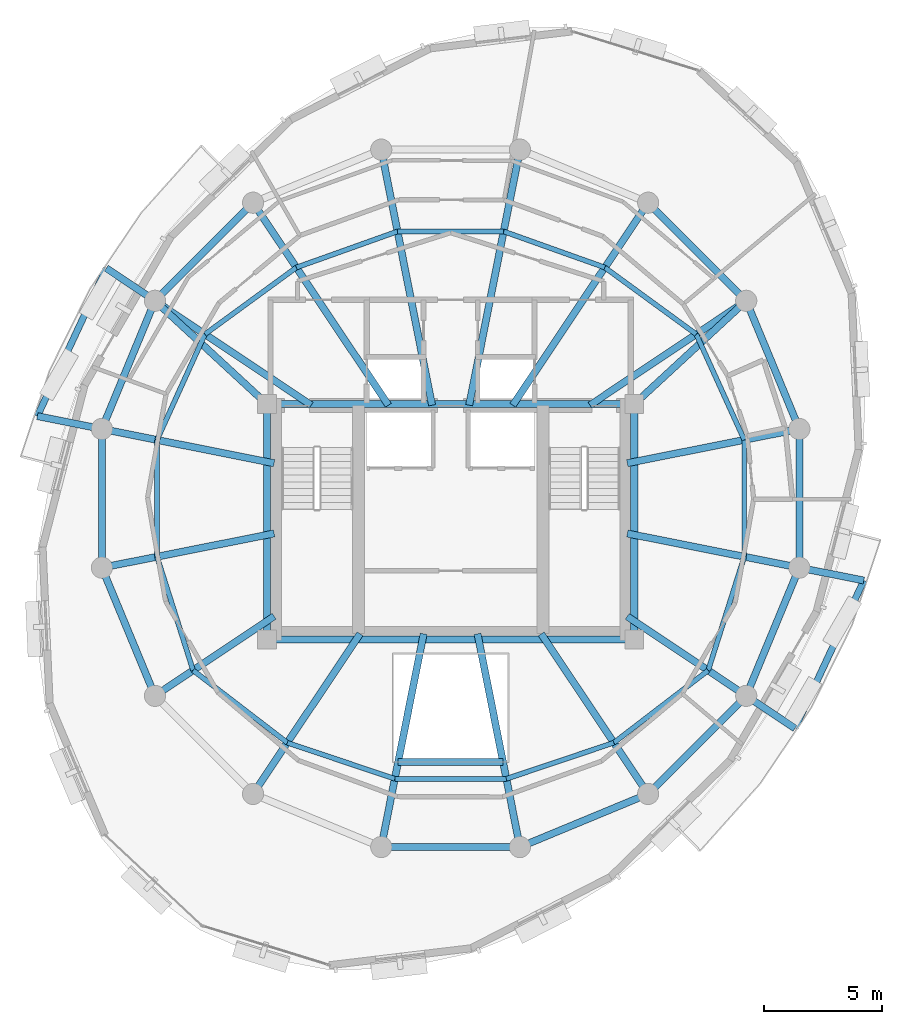
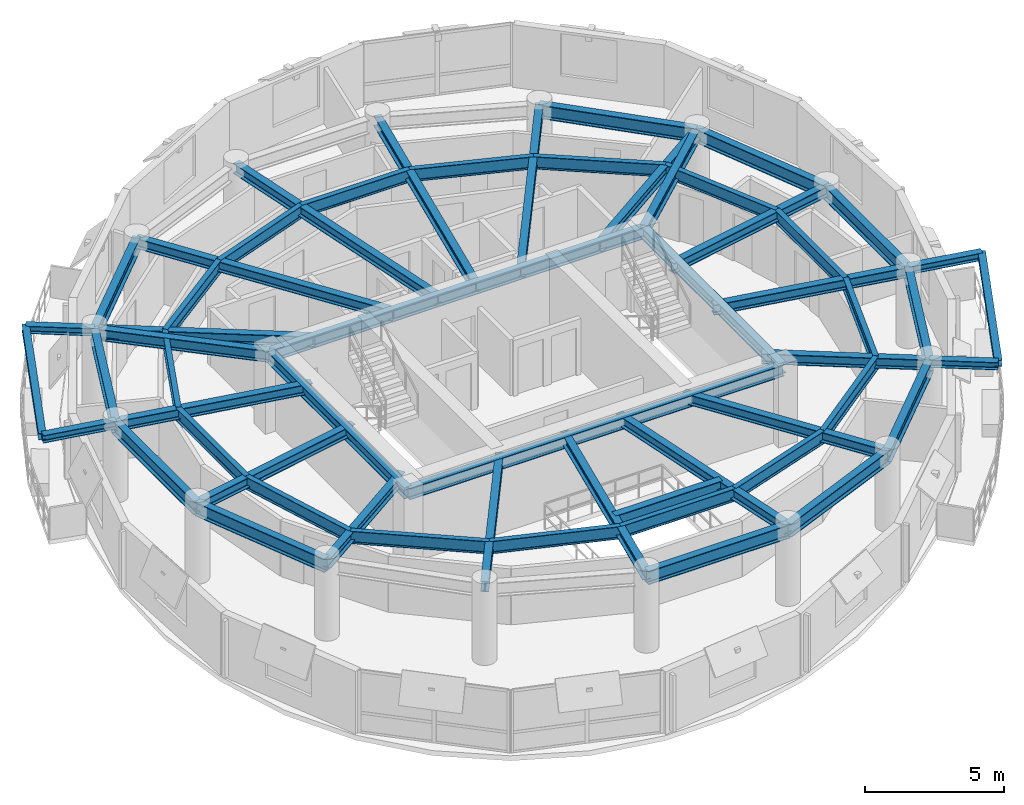
# One storey, part 3 of 11: 56 beams.
"""IFC4 building model written with IfcOpenShell, lengths in metres."""

from ifc_helpers import new_model, si_unit, direction, frame, origin, origin_2d, place, context, subcontext, project, spatial, i_section, extrude, material, material_profile, profile_set, type_object, element, save


model = new_model("IFC4")

# Units and contexts
model_context = context("Model", 3, precision=1e-05, world=origin(), true_north=direction((0.0, 1.0)))
body_context = subcontext(model_context, "Body", "Model", "MODEL_VIEW")
ifc_project = project(units=[si_unit("LENGTHUNIT", "METRE"), si_unit("AREAUNIT", "SQUARE_METRE"), si_unit("VOLUMEUNIT", "CUBIC_METRE"), si_unit("PLANEANGLEUNIT", "RADIAN"), si_unit("MASSUNIT", "GRAM", prefix="KILO"), si_unit("THERMODYNAMICTEMPERATUREUNIT", "KELVIN"), si_unit("POWERUNIT", "WATT")], contexts=[model_context])

# Site, building, storey
site_placement = place(None, origin())
site = spatial("IfcSite", under=ifc_project, at=site_placement, CompositionType="ELEMENT")
building_placement = place(site_placement, origin())
building = spatial("IfcBuilding", under=site, at=building_placement, Name="Ocrelia Relay Tower", CompositionType="ELEMENT")
storey_placement = place(building_placement, frame((0.0, 0.0, 277.199951171875)))
storey = spatial("IfcBuildingStorey", under=building, at=storey_placement, Name="L69", CompositionType="ELEMENT", Elevation=277.199951171875)

# Beams
ifc_material = material(Name="Steel S355", Category="steel")
ifc_material_profile_1 = material_profile(ifc_material, i_section(OverallWidth=0.280029296875, OverallDepth=0.27001953125, WebThickness=0.008056640625, FlangeThickness=0.012939453125, FilletRadius=0.02392578125, at=origin_2d()), Name="HEA 280")
ifc_profile_set_1 = profile_set([ifc_material_profile_1], Name="Steel S355")
beam_type_1 = type_object("IfcBeamType", Name="BM-HEA280", PredefinedType="BEAM", material=ifc_profile_set_1)
for number, where, z_axis, x_axis, name in (
    (1, (19.37890625, 35.76953125, 3.2451171875), (-0.422790936528, -0.906227247433, 0.0), (0.906227247433, -0.422790936528, 0.0), "L70 Balcony Edge Trimmer Beam B1"),
    (2, (48.62109375, 16.23046875, 3.2451171875), (0.422790936528, 0.906227247433, 0.0), (-0.906227247433, 0.422790936528, 0.0), "L70 Balcony Edge Trimmer Beam B2"),
):
    element("IfcBeam", number, at=place(storey_placement, frame(where, z_axis=z_axis, x_axis=x_axis)), inside=storey, type_object=beam_type_1, Name=name, PredefinedType="BEAM", context=body_context, shape_type="SweptSolid", body=[
        extrude(i_section(OverallWidth=0.280029296875, OverallDepth=0.27001953125, WebThickness=0.008056640625, FlangeThickness=0.012939453125, FilletRadius=0.02392578125, at=origin_2d()), origin(), (0.0, 0.0, 1.0), 6.92822265625),
    ])
ifc_material_profile_2 = material_profile(ifc_material, i_section(OverallWidth=0.300048828125, OverallDepth=0.330078125, WebThickness=0.009521484375, FlangeThickness=0.0166015625, FilletRadius=0.027099609375, at=origin_2d()), Name="HEA 340")
ifc_profile_set_2 = profile_set([ifc_material_profile_2], Name="Steel S355")
beam_type_2 = type_object("IfcBeamType", Name="BM-HEA340", PredefinedType="BEAM", material=ifc_profile_set_2)
beam_1_placement = place(storey_placement, frame((21.44482421875, 34.38916015625, 3.215087890625), z_axis=(-0.831475405589, 0.555561562656, 0.0), x_axis=(-0.555561562656, -0.831475405589, 0.0)))
element("IfcBeam", 3, at=beam_1_placement, inside=storey, type_object=beam_type_2, Name="L70 Balcony Cantilever Beam B1-1", PredefinedType="BEAM", context=body_context, shape_type="SweptSolid", body=[
    extrude(i_section(OverallWidth=0.300048828125, OverallDepth=0.330078125, WebThickness=0.009521484375, FlangeThickness=0.0166015625, FilletRadius=0.027099609375, at=origin_2d()), origin(), (0.0, 0.0, 1.0), 2.484619140625),
])
beam_2_placement = place(storey_placement, frame((19.190185546875, 28.94580078125, 3.215087890625), z_axis=(-0.980781791507, 0.195107861063, 0.0), x_axis=(-0.195107861063, -0.980781791507, 0.0)))
element("IfcBeam", 4, at=beam_2_placement, inside=storey, type_object=beam_type_2, Name="L70 Balcony Cantilever Beam B1-2", PredefinedType="BEAM", context=body_context, shape_type="SweptSolid", body=[
    extrude(i_section(OverallWidth=0.300048828125, OverallDepth=0.330078125, WebThickness=0.009521484375, FlangeThickness=0.0166015625, FilletRadius=0.027099609375, at=origin_2d()), origin(), (0.0, 0.0, 1.0), 2.794189453125),
])
beam_3_placement = place(storey_placement, frame((46.55517578125, 17.61083984375, 3.215087890625), z_axis=(0.831475405589, -0.555561562656, 0.0), x_axis=(0.555561562656, 0.831475405589, 0.0)))
element("IfcBeam", 5, at=beam_3_placement, inside=storey, type_object=beam_type_2, Name="L70 Balcony Cantilever Beam B2-1", PredefinedType="BEAM", context=body_context, shape_type="SweptSolid", body=[
    extrude(i_section(OverallWidth=0.300048828125, OverallDepth=0.330078125, WebThickness=0.009521484375, FlangeThickness=0.0166015625, FilletRadius=0.027099609375, at=origin_2d()), origin(), (0.0, 0.0, 1.0), 2.484619140625),
])
beam_4_placement = place(storey_placement, frame((48.809814453125, 23.05419921875, 3.215087890625), z_axis=(0.980781791507, -0.195107861063, 0.0), x_axis=(0.195107861063, 0.980781791507, 0.0)))
element("IfcBeam", 6, at=beam_4_placement, inside=storey, type_object=beam_type_2, Name="L70 Balcony Cantilever Beam B2-2", PredefinedType="BEAM", context=body_context, shape_type="SweptSolid", body=[
    extrude(i_section(OverallWidth=0.300048828125, OverallDepth=0.330078125, WebThickness=0.009521484375, FlangeThickness=0.0166015625, FilletRadius=0.027099609375, at=origin_2d()), origin(), (0.0, 0.0, 1.0), 2.794189453125),
])
ifc_material_profile_3 = material_profile(ifc_material, i_section(OverallWidth=0.300048828125, OverallDepth=0.449951171875, WebThickness=0.013916015625, FlangeThickness=0.02587890625, FilletRadius=0.027099609375, at=origin_2d()), Name="HEB 450")
ifc_profile_set_3 = profile_set([ifc_material_profile_3], Name="Steel S355")
beam_type_3 = type_object("IfcBeamType", Name="BM-HEB450", PredefinedType="BEAM", material=ifc_profile_set_3)
beam_5_placement = place(storey_placement, frame((48.809814453125, 28.94580078125, 3.155029296875), z_axis=(-0.980789400571, -0.195069607393, 0.0), x_axis=(0.195069607393, -0.980789400571, 0.0)))
element("IfcBeam", 7, at=beam_5_placement, inside=storey, type_object=beam_type_3, Name="L69 Radial Floor Girder R01", PredefinedType="BEAM", context=body_context, shape_type="SweptSolid", body=[
    extrude(i_section(OverallWidth=0.300048828125, OverallDepth=0.449951171875, WebThickness=0.013916015625, FlangeThickness=0.02587890625, FilletRadius=0.027099609375, at=origin_2d()), origin(), (0.0, 0.0, 1.0), 7.447998046875),
])
beam_6_placement = place(storey_placement, frame((46.55517578125, 34.38916015625, 3.155029296875), z_axis=(-0.83146627118, -0.555575233331, 0.0), x_axis=(0.555575233331, -0.83146627118, 0.0)))
element("IfcBeam", 8, at=beam_6_placement, inside=storey, type_object=beam_type_3, Name="L69 Radial Floor Girder R02", PredefinedType="BEAM", context=body_context, shape_type="SweptSolid", body=[
    extrude(i_section(OverallWidth=0.300048828125, OverallDepth=0.449951171875, WebThickness=0.013916015625, FlangeThickness=0.02587890625, FilletRadius=0.027099609375, at=origin_2d()), origin(), (0.0, 0.0, 1.0), 7.98095703125),
])
beam_7_placement = place(storey_placement, frame((42.38916015625, 38.55517578125, 3.155029296875), z_axis=(-0.555582296999, -0.831461551283, 0.0), x_axis=(0.831461551283, -0.555582296999, 0.0)))
element("IfcBeam", 9, at=beam_7_placement, inside=storey, type_object=beam_type_3, Name="L69 Radial Floor Girder R03", PredefinedType="BEAM", context=body_context, shape_type="SweptSolid", body=[
    extrude(i_section(OverallWidth=0.300048828125, OverallDepth=0.449951171875, WebThickness=0.013916015625, FlangeThickness=0.02587890625, FilletRadius=0.027099609375, at=origin_2d()), origin(), (0.0, 0.0, 1.0), 10.34326171875),
])
for number, where, z_axis, x_axis, name in (
    (10, (36.94580078125, 40.809814453125, 3.155029296875), (-0.195093658495, -0.98078461673, 0.0), (0.98078461673, -0.195093658495, 0.0), "L69 Radial Floor Girder R04"),
    (11, (31.05419921875, 40.809814453125, 3.155029296875), (0.195093658495, -0.98078461673, 0.0), (0.98078461673, 0.195093658495, 0.0), "L69 Radial Floor Girder R05"),
):
    element("IfcBeam", number, at=place(storey_placement, frame(where, z_axis=z_axis, x_axis=x_axis)), inside=storey, type_object=beam_type_3, Name=name, PredefinedType="BEAM", context=body_context, shape_type="SweptSolid", body=[
        extrude(i_section(OverallWidth=0.300048828125, OverallDepth=0.449951171875, WebThickness=0.013916015625, FlangeThickness=0.02587890625, FilletRadius=0.027099609375, at=origin_2d()), origin(), (0.0, 0.0, 1.0), 11.0673828125),
    ])
beam_8_placement = place(storey_placement, frame((25.61083984375, 38.55517578125, 3.155029296875), z_axis=(0.555582296999, -0.831461551283, 0.0), x_axis=(0.831461551283, 0.555582296999, 0.0)))
element("IfcBeam", 12, at=beam_8_placement, inside=storey, type_object=beam_type_3, Name="L69 Radial Floor Girder R06", PredefinedType="BEAM", context=body_context, shape_type="SweptSolid", body=[
    extrude(i_section(OverallWidth=0.300048828125, OverallDepth=0.449951171875, WebThickness=0.013916015625, FlangeThickness=0.02587890625, FilletRadius=0.027099609375, at=origin_2d()), origin(), (0.0, 0.0, 1.0), 10.34326171875),
])
beam_9_placement = place(storey_placement, frame((21.44482421875, 34.38916015625, 3.155029296875), z_axis=(0.83146627118, -0.555575233331, 0.0), x_axis=(0.555575233331, 0.83146627118, 0.0)))
element("IfcBeam", 13, at=beam_9_placement, inside=storey, type_object=beam_type_3, Name="L69 Radial Floor Girder R07", PredefinedType="BEAM", context=body_context, shape_type="SweptSolid", body=[
    extrude(i_section(OverallWidth=0.300048828125, OverallDepth=0.449951171875, WebThickness=0.013916015625, FlangeThickness=0.02587890625, FilletRadius=0.027099609375, at=origin_2d()), origin(), (0.0, 0.0, 1.0), 7.98095703125),
])
for number, where, z_axis, x_axis, name in (
    (14, (19.190185546875, 28.94580078125, 3.155029296875), (0.980789122594, -0.195071005024, 0.0), (0.195071005024, 0.980789122594, 0.0), "L69 Radial Floor Girder R08"),
    (15, (19.190185546875, 23.05419921875, 3.155029296875), (0.980789122594, 0.195071005024, 0.0), (-0.195071005024, 0.980789122594, 0.0), "L69 Radial Floor Girder R09"),
):
    element("IfcBeam", number, at=place(storey_placement, frame(where, z_axis=z_axis, x_axis=x_axis)), inside=storey, type_object=beam_type_3, Name=name, PredefinedType="BEAM", context=body_context, shape_type="SweptSolid", body=[
        extrude(i_section(OverallWidth=0.300048828125, OverallDepth=0.449951171875, WebThickness=0.013916015625, FlangeThickness=0.02587890625, FilletRadius=0.027099609375, at=origin_2d()), origin(), (0.0, 0.0, 1.0), 7.4580078125),
    ])
beam_10_placement = place(storey_placement, frame((21.44482421875, 17.61083984375, 3.155029296875), z_axis=(0.831463505153, 0.555579372906, 0.0), x_axis=(-0.555579372906, 0.831463505153, 0.0)))
element("IfcBeam", 16, at=beam_10_placement, inside=storey, type_object=beam_type_3, Name="L69 Radial Floor Girder R10", PredefinedType="BEAM", context=body_context, shape_type="SweptSolid", body=[
    extrude(i_section(OverallWidth=0.300048828125, OverallDepth=0.449951171875, WebThickness=0.013916015625, FlangeThickness=0.02587890625, FilletRadius=0.027099609375, at=origin_2d()), origin(), (0.0, 0.0, 1.0), 6.085693359375),
])
beam_11_placement = place(storey_placement, frame((25.61083984375, 13.44482421875, 3.155029296875), z_axis=(0.555560991962, 0.831475786906, 0.0), x_axis=(-0.831475786906, 0.555560991962, 0.0)))
element("IfcBeam", 17, at=beam_11_placement, inside=storey, type_object=beam_type_3, Name="L69 Radial Floor Girder R11", PredefinedType="BEAM", context=body_context, shape_type="SweptSolid", body=[
    extrude(i_section(OverallWidth=0.300048828125, OverallDepth=0.449951171875, WebThickness=0.013916015625, FlangeThickness=0.02587890625, FilletRadius=0.027099609375, at=origin_2d()), origin(), (0.0, 0.0, 1.0), 8.178466796875),
])
for number, where, z_axis, x_axis, name in (
    (18, (31.05419921875, 11.190185546875, 3.155029296875), (0.195078600472, 0.98078761189, 0.0), (-0.98078761189, 0.195078600472, 0.0), "L69 Radial Floor Girder R12"),
    (19, (36.94580078125, 11.190185546875, 3.155029296875), (-0.195078600472, 0.98078761189, 0.0), (-0.98078761189, -0.195078600472, 0.0), "L69 Radial Floor Girder R13"),
):
    element("IfcBeam", number, at=place(storey_placement, frame(where, z_axis=z_axis, x_axis=x_axis)), inside=storey, type_object=beam_type_3, Name=name, PredefinedType="BEAM", context=body_context, shape_type="SweptSolid", body=[
        extrude(i_section(OverallWidth=0.300048828125, OverallDepth=0.449951171875, WebThickness=0.013916015625, FlangeThickness=0.02587890625, FilletRadius=0.027099609375, at=origin_2d()), origin(), (0.0, 0.0, 1.0), 9.232421875),
    ])
beam_12_placement = place(storey_placement, frame((42.38916015625, 13.44482421875, 3.155029296875), z_axis=(-0.555560991962, 0.831475786906, 0.0), x_axis=(-0.831475786906, -0.555560991962, 0.0)))
element("IfcBeam", 20, at=beam_12_placement, inside=storey, type_object=beam_type_3, Name="L69 Radial Floor Girder R14", PredefinedType="BEAM", context=body_context, shape_type="SweptSolid", body=[
    extrude(i_section(OverallWidth=0.300048828125, OverallDepth=0.449951171875, WebThickness=0.013916015625, FlangeThickness=0.02587890625, FilletRadius=0.027099609375, at=origin_2d()), origin(), (0.0, 0.0, 1.0), 8.178466796875),
])
beam_13_placement = place(storey_placement, frame((46.55517578125, 17.61083984375, 3.155029296875), z_axis=(-0.831468559595, 0.555571808504, 0.0), x_axis=(-0.555571808504, -0.831468559595, 0.0)))
element("IfcBeam", 21, at=beam_13_placement, inside=storey, type_object=beam_type_3, Name="L69 Radial Floor Girder R15", PredefinedType="BEAM", context=body_context, shape_type="SweptSolid", body=[
    extrude(i_section(OverallWidth=0.300048828125, OverallDepth=0.449951171875, WebThickness=0.013916015625, FlangeThickness=0.02587890625, FilletRadius=0.027099609375, at=origin_2d()), origin(), (0.0, 0.0, 1.0), 6.073974609375),
])
beam_14_placement = place(storey_placement, frame((48.809814453125, 23.05419921875, 3.155029296875), z_axis=(-0.980789400571, 0.195069607393, 0.0), x_axis=(-0.195069607393, -0.980789400571, 0.0)))
element("IfcBeam", 22, at=beam_14_placement, inside=storey, type_object=beam_type_3, Name="L69 Radial Floor Girder R16", PredefinedType="BEAM", context=body_context, shape_type="SweptSolid", body=[
    extrude(i_section(OverallWidth=0.300048828125, OverallDepth=0.449951171875, WebThickness=0.013916015625, FlangeThickness=0.02587890625, FilletRadius=0.027099609375, at=origin_2d()), origin(), (0.0, 0.0, 1.0), 7.447998046875),
])
ifc_material_profile_4 = material_profile(ifc_material, i_section(OverallWidth=0.300048828125, OverallDepth=0.5, WebThickness=0.014404296875, FlangeThickness=0.028076171875, FilletRadius=0.027099609375, at=origin_2d()), Name="HEB 500")
ifc_profile_set_4 = profile_set([ifc_material_profile_4], Name="Steel S355")
beam_type_4 = type_object("IfcBeamType", Name="BM-HEB500", PredefinedType="BEAM", material=ifc_profile_set_4)
for number, where, z_axis, x_axis, name in (
    (23, (26.199951171875, 20.0, 3.130126953125), (1.0, 0.0, 0.0), (0.0, 1.0, 0.0), "L69 Core Pilaster Tie Beam S"),
    (24, (26.199951171875, 30.0, 3.130126953125), (1.0, 0.0, 0.0), (0.0, 1.0, 0.0), "L69 Core Pilaster Tie Beam N"),
):
    element("IfcBeam", number, at=place(storey_placement, frame(where, z_axis=z_axis, x_axis=x_axis)), inside=storey, type_object=beam_type_4, Name=name, PredefinedType="BEAM", context=body_context, shape_type="SweptSolid", body=[
        extrude(i_section(OverallWidth=0.300048828125, OverallDepth=0.5, WebThickness=0.014404296875, FlangeThickness=0.028076171875, FilletRadius=0.027099609375, at=origin_2d()), origin(), (0.0, 0.0, 1.0), 15.60009765625),
    ])
for number, where, z_axis, x_axis, name in (
    (25, (26.199951171875, 20.0, 3.130126953125), (0.0, 1.0, 0.0), (-1.0, 0.0, 0.0), "L69 Core Pilaster Tie Beam W"),
    (26, (41.800048828125, 20.0, 3.130126953125), (0.0, 1.0, 0.0), (-1.0, 0.0, 0.0), "L69 Core Pilaster Tie Beam E"),
):
    element("IfcBeam", number, at=place(storey_placement, frame(where, z_axis=z_axis, x_axis=x_axis)), inside=storey, type_object=beam_type_4, Name=name, PredefinedType="BEAM", context=body_context, shape_type="SweptSolid", body=[
        extrude(i_section(OverallWidth=0.300048828125, OverallDepth=0.5, WebThickness=0.014404296875, FlangeThickness=0.028076171875, FilletRadius=0.027099609375, at=origin_2d()), origin(), (0.0, 0.0, 1.0), 10.0),
    ])
for number, where, z_axis, x_axis, name in (
    (27, (46.55517578125, 34.38916015625, 3.130126953125), (-0.734817908666, -0.678264433023, 0.0), (0.678264433023, -0.734817908666, 0.0), "L69 Core Pilaster Frame Tie Beam PT02"),
    (28, (21.44482421875, 34.38916015625, 3.130126953125), (0.734817908666, -0.678264433023, 0.0), (0.678264433023, 0.734817908666, 0.0), "L69 Core Pilaster Frame Tie Beam PT07"),
):
    element("IfcBeam", number, at=place(storey_placement, frame(where, z_axis=z_axis, x_axis=x_axis)), inside=storey, type_object=beam_type_4, Name=name, PredefinedType="BEAM", context=body_context, shape_type="SweptSolid", body=[
        extrude(i_section(OverallWidth=0.300048828125, OverallDepth=0.5, WebThickness=0.014404296875, FlangeThickness=0.028076171875, FilletRadius=0.027099609375, at=origin_2d()), origin(), (0.0, 0.0, 1.0), 6.47119140625),
    ])
ifc_material_profile_5 = material_profile(ifc_material, i_section(OverallWidth=0.300048828125, OverallDepth=0.550048828125, WebThickness=0.014892578125, FlangeThickness=0.029052734375, FilletRadius=0.027099609375, at=origin_2d()), Name="HEB 550")
ifc_profile_set_5 = profile_set([ifc_material_profile_5], Name="Steel S355")
beam_type_5 = type_object("IfcBeamType", Name="BM-HEB550", PredefinedType="BEAM", material=ifc_profile_set_5)
beam_15_placement = place(storey_placement, frame((31.772216796875, 14.800048828125, 3.10498046875), z_axis=(1.0, 0.0, 0.0), x_axis=(0.0, 1.0, 0.0)))
element("IfcBeam", 29, at=beam_15_placement, inside=storey, type_object=beam_type_5, Name="L69 Atrium South Trimmer Beam", PredefinedType="BEAM", context=body_context, shape_type="SweptSolid", body=[
    extrude(i_section(OverallWidth=0.300048828125, OverallDepth=0.550048828125, WebThickness=0.014892578125, FlangeThickness=0.029052734375, FilletRadius=0.027099609375, at=origin_2d()), origin(), (0.0, 0.0, 1.0), 4.45556640625),
])
ifc_material_profile_6 = material_profile(ifc_material, i_section(OverallWidth=0.300048828125, OverallDepth=0.60009765625, WebThickness=0.015380859375, FlangeThickness=0.030029296875, FilletRadius=0.027099609375, at=origin_2d()), Name="HEB 600")
ifc_profile_set_6 = profile_set([ifc_material_profile_6], Name="Steel S355")
beam_type_6 = type_object("IfcBeamType", Name="BM-HEB600", PredefinedType="BEAM", material=ifc_profile_set_6)
beam_16_placement = place(storey_placement, frame((48.809814453125, 28.94580078125, 3.080078125), z_axis=(-0.382672624084, 0.923884009374, 0.0), x_axis=(-0.923884009374, -0.382672624084, 0.0)))
element("IfcBeam", 30, at=beam_16_placement, inside=storey, type_object=beam_type_6, Name="L69 Perimeter Spandrel Beam S01", PredefinedType="BEAM", context=body_context, shape_type="SweptSolid", body=[
    extrude(i_section(OverallWidth=0.300048828125, OverallDepth=0.60009765625, WebThickness=0.015380859375, FlangeThickness=0.030029296875, FilletRadius=0.027099609375, at=origin_2d()), origin(), (0.0, 0.0, 1.0), 5.891845703125),
])
for number, where, z_axis, x_axis, name in (
    (31, (46.55517578125, 34.38916015625, 3.080078125), (-0.707106781187, 0.707106781187, 0.0), (-0.707106781187, -0.707106781187, 0.0), "L69 Perimeter Spandrel Beam S02"),
    (32, (25.61083984375, 38.55517578125, 3.080078125), (-0.707106781187, -0.707106781187, 0.0), (0.707106781187, -0.707106781187, 0.0), "L69 Perimeter Spandrel Beam S06"),
):
    element("IfcBeam", number, at=place(storey_placement, frame(where, z_axis=z_axis, x_axis=x_axis)), inside=storey, type_object=beam_type_6, Name=name, PredefinedType="BEAM", context=body_context, shape_type="SweptSolid", body=[
        extrude(i_section(OverallWidth=0.300048828125, OverallDepth=0.60009765625, WebThickness=0.015380859375, FlangeThickness=0.030029296875, FilletRadius=0.027099609375, at=origin_2d()), origin(), (0.0, 0.0, 1.0), 5.8916015625),
    ])
beam_17_placement = place(storey_placement, frame((21.44482421875, 34.38916015625, 3.080078125), z_axis=(-0.382672624084, -0.923884009374, 0.0), x_axis=(0.923884009374, -0.382672624084, 0.0)))
element("IfcBeam", 33, at=beam_17_placement, inside=storey, type_object=beam_type_6, Name="L69 Perimeter Spandrel Beam S07", PredefinedType="BEAM", context=body_context, shape_type="SweptSolid", body=[
    extrude(i_section(OverallWidth=0.300048828125, OverallDepth=0.60009765625, WebThickness=0.015380859375, FlangeThickness=0.030029296875, FilletRadius=0.027099609375, at=origin_2d()), origin(), (0.0, 0.0, 1.0), 5.891845703125),
])
beam_18_placement = place(storey_placement, frame((19.190185546875, 28.94580078125, 3.080078125), z_axis=(0.0, -1.0, 0.0), x_axis=(1.0, 0.0, 0.0)))
element("IfcBeam", 34, at=beam_18_placement, inside=storey, type_object=beam_type_6, Name="L69 Perimeter Spandrel Beam S08", PredefinedType="BEAM", context=body_context, shape_type="SweptSolid", body=[
    extrude(i_section(OverallWidth=0.300048828125, OverallDepth=0.60009765625, WebThickness=0.015380859375, FlangeThickness=0.030029296875, FilletRadius=0.027099609375, at=origin_2d()), origin(), (0.0, 0.0, 1.0), 5.8916015625),
])
beam_19_placement = place(storey_placement, frame((19.190185546875, 23.05419921875, 3.080078125), z_axis=(0.382672624084, -0.923884009374, 0.0), x_axis=(0.923884009374, 0.382672624084, 0.0)))
element("IfcBeam", 35, at=beam_19_placement, inside=storey, type_object=beam_type_6, Name="L69 Perimeter Spandrel Beam S09", PredefinedType="BEAM", context=body_context, shape_type="SweptSolid", body=[
    extrude(i_section(OverallWidth=0.300048828125, OverallDepth=0.60009765625, WebThickness=0.015380859375, FlangeThickness=0.030029296875, FilletRadius=0.027099609375, at=origin_2d()), origin(), (0.0, 0.0, 1.0), 5.891845703125),
])
beam_20_placement = place(storey_placement, frame((31.05419921875, 11.190185546875, 3.080078125), z_axis=(1.0, 0.0, 0.0), x_axis=(0.0, 1.0, 0.0)))
element("IfcBeam", 36, at=beam_20_placement, inside=storey, type_object=beam_type_6, Name="L69 Perimeter Spandrel Beam S12", PredefinedType="BEAM", context=body_context, shape_type="SweptSolid", body=[
    extrude(i_section(OverallWidth=0.300048828125, OverallDepth=0.60009765625, WebThickness=0.015380859375, FlangeThickness=0.030029296875, FilletRadius=0.027099609375, at=origin_2d()), origin(), (0.0, 0.0, 1.0), 5.8916015625),
])
beam_21_placement = place(storey_placement, frame((36.94580078125, 11.190185546875, 3.080078125), z_axis=(0.923884009374, 0.382672624084, 0.0), x_axis=(-0.382672624084, 0.923884009374, 0.0)))
element("IfcBeam", 37, at=beam_21_placement, inside=storey, type_object=beam_type_6, Name="L69 Perimeter Spandrel Beam S13", PredefinedType="BEAM", context=body_context, shape_type="SweptSolid", body=[
    extrude(i_section(OverallWidth=0.300048828125, OverallDepth=0.60009765625, WebThickness=0.015380859375, FlangeThickness=0.030029296875, FilletRadius=0.027099609375, at=origin_2d()), origin(), (0.0, 0.0, 1.0), 5.891845703125),
])
beam_22_placement = place(storey_placement, frame((42.38916015625, 13.44482421875, 3.080078125), z_axis=(0.707106781187, 0.707106781187, 0.0), x_axis=(-0.707106781187, 0.707106781187, 0.0)))
element("IfcBeam", 38, at=beam_22_placement, inside=storey, type_object=beam_type_6, Name="L69 Perimeter Spandrel Beam S14", PredefinedType="BEAM", context=body_context, shape_type="SweptSolid", body=[
    extrude(i_section(OverallWidth=0.300048828125, OverallDepth=0.60009765625, WebThickness=0.015380859375, FlangeThickness=0.030029296875, FilletRadius=0.027099609375, at=origin_2d()), origin(), (0.0, 0.0, 1.0), 5.8916015625),
])
beam_23_placement = place(storey_placement, frame((46.55517578125, 17.61083984375, 3.080078125), z_axis=(0.382672624084, 0.923884009374, 0.0), x_axis=(-0.923884009374, 0.382672624084, 0.0)))
element("IfcBeam", 39, at=beam_23_placement, inside=storey, type_object=beam_type_6, Name="L69 Perimeter Spandrel Beam S15", PredefinedType="BEAM", context=body_context, shape_type="SweptSolid", body=[
    extrude(i_section(OverallWidth=0.300048828125, OverallDepth=0.60009765625, WebThickness=0.015380859375, FlangeThickness=0.030029296875, FilletRadius=0.027099609375, at=origin_2d()), origin(), (0.0, 0.0, 1.0), 5.891845703125),
])
beam_24_placement = place(storey_placement, frame((48.809814453125, 23.05419921875, 3.080078125), z_axis=(0.0, 1.0, 0.0), x_axis=(-1.0, 0.0, 0.0)))
element("IfcBeam", 40, at=beam_24_placement, inside=storey, type_object=beam_type_6, Name="L69 Perimeter Spandrel Beam S16", PredefinedType="BEAM", context=body_context, shape_type="SweptSolid", body=[
    extrude(i_section(OverallWidth=0.300048828125, OverallDepth=0.60009765625, WebThickness=0.015380859375, FlangeThickness=0.030029296875, FilletRadius=0.027099609375, at=origin_2d()), origin(), (0.0, 0.0, 1.0), 5.8916015625),
])
ifc_material_profile_7 = material_profile(ifc_material, i_section(OverallWidth=0.2099609375, OverallDepth=0.550048828125, WebThickness=0.010986328125, FlangeThickness=0.01708984375, FilletRadius=0.02392578125, at=origin_2d()), Name="IPE 550")
ifc_profile_set_7 = profile_set([ifc_material_profile_7], Name="Steel S355")
beam_type_7 = type_object("IfcBeamType", Name="BM-IPE550", PredefinedType="JOIST", material=ifc_profile_set_7)
beam_25_placement = place(storey_placement, frame((46.472412109375, 28.48095703125, 3.10498046875), z_axis=(-0.413836514443, 0.91035121756, 0.0), x_axis=(-0.91035121756, -0.413836514443, 0.0)))
element("IfcBeam", 41, at=beam_25_placement, inside=storey, type_object=beam_type_7, Name="L69 Secondary Floor Joist J01", PredefinedType="JOIST", context=body_context, shape_type="SweptSolid", body=[
    extrude(i_section(OverallWidth=0.2099609375, OverallDepth=0.550048828125, WebThickness=0.010986328125, FlangeThickness=0.01708984375, FilletRadius=0.02392578125, at=origin_2d()), origin(), (0.0, 0.0, 1.0), 4.931396484375),
])
beam_26_placement = place(storey_placement, frame((44.431640625, 32.97021484375, 3.10498046875), z_axis=(-0.80774844416, 0.58952731146, 0.0), x_axis=(-0.58952731146, -0.80774844416, 0.0)))
element("IfcBeam", 42, at=beam_26_placement, inside=storey, type_object=beam_type_7, Name="L69 Secondary Floor Joist J02", PredefinedType="JOIST", context=body_context, shape_type="SweptSolid", body=[
    extrude(i_section(OverallWidth=0.2099609375, OverallDepth=0.550048828125, WebThickness=0.010986328125, FlangeThickness=0.01708984375, FilletRadius=0.02392578125, at=origin_2d()), origin(), (0.0, 0.0, 1.0), 4.80517578125),
])
beam_27_placement = place(storey_placement, frame((40.55029296875, 35.802978515625, 3.10498046875), z_axis=(-0.94180245035, 0.336166840298, 0.0), x_axis=(-0.336166840298, -0.94180245035, 0.0)))
element("IfcBeam", 43, at=beam_27_placement, inside=storey, type_object=beam_type_7, Name="L69 Secondary Floor Joist J03", PredefinedType="JOIST", context=body_context, shape_type="SweptSolid", body=[
    extrude(i_section(OverallWidth=0.2099609375, OverallDepth=0.550048828125, WebThickness=0.010986328125, FlangeThickness=0.01708984375, FilletRadius=0.02392578125, at=origin_2d()), origin(), (0.0, 0.0, 1.0), 4.560791015625),
])
beam_28_placement = place(storey_placement, frame((36.2548828125, 37.336181640625, 3.10498046875), z_axis=(-1.0, 0.0, 0.0), x_axis=(0.0, -1.0, 0.0)))
element("IfcBeam", 44, at=beam_28_placement, inside=storey, type_object=beam_type_7, Name="L69 Secondary Floor Joist J04", PredefinedType="JOIST", context=body_context, shape_type="SweptSolid", body=[
    extrude(i_section(OverallWidth=0.2099609375, OverallDepth=0.550048828125, WebThickness=0.010986328125, FlangeThickness=0.01708984375, FilletRadius=0.02392578125, at=origin_2d()), origin(), (0.0, 0.0, 1.0), 4.509765625),
])
beam_29_placement = place(storey_placement, frame((31.7451171875, 37.336181640625, 3.10498046875), z_axis=(-0.94180245035, -0.336166840298, 0.0), x_axis=(0.336166840298, -0.94180245035, 0.0)))
element("IfcBeam", 45, at=beam_29_placement, inside=storey, type_object=beam_type_7, Name="L69 Secondary Floor Joist J05", PredefinedType="JOIST", context=body_context, shape_type="SweptSolid", body=[
    extrude(i_section(OverallWidth=0.2099609375, OverallDepth=0.550048828125, WebThickness=0.010986328125, FlangeThickness=0.01708984375, FilletRadius=0.02392578125, at=origin_2d()), origin(), (0.0, 0.0, 1.0), 4.560791015625),
])
beam_30_placement = place(storey_placement, frame((27.44970703125, 35.802978515625, 3.10498046875), z_axis=(-0.80774844416, -0.58952731146, 0.0), x_axis=(0.58952731146, -0.80774844416, 0.0)))
element("IfcBeam", 46, at=beam_30_placement, inside=storey, type_object=beam_type_7, Name="L69 Secondary Floor Joist J06", PredefinedType="JOIST", context=body_context, shape_type="SweptSolid", body=[
    extrude(i_section(OverallWidth=0.2099609375, OverallDepth=0.550048828125, WebThickness=0.010986328125, FlangeThickness=0.01708984375, FilletRadius=0.02392578125, at=origin_2d()), origin(), (0.0, 0.0, 1.0), 4.80517578125),
])
beam_31_placement = place(storey_placement, frame((23.568359375, 32.97021484375, 3.10498046875), z_axis=(-0.413205957462, -0.910637599003, 0.0), x_axis=(0.910637599003, -0.413205957462, 0.0)))
element("IfcBeam", 47, at=beam_31_placement, inside=storey, type_object=beam_type_7, Name="L69 Secondary Floor Joist J07", PredefinedType="JOIST", context=body_context, shape_type="SweptSolid", body=[
    extrude(i_section(OverallWidth=0.2099609375, OverallDepth=0.550048828125, WebThickness=0.010986328125, FlangeThickness=0.01708984375, FilletRadius=0.02392578125, at=origin_2d()), origin(), (0.0, 0.0, 1.0), 4.9306640625),
])
beam_32_placement = place(storey_placement, frame((21.531005859375, 28.480224609375, 3.10498046875), z_axis=(0.0, -1.0, 0.0), x_axis=(1.0, 0.0, 0.0)))
element("IfcBeam", 48, at=beam_32_placement, inside=storey, type_object=beam_type_7, Name="L69 Secondary Floor Joist J08", PredefinedType="JOIST", context=body_context, shape_type="SweptSolid", body=[
    extrude(i_section(OverallWidth=0.2099609375, OverallDepth=0.550048828125, WebThickness=0.010986328125, FlangeThickness=0.01708984375, FilletRadius=0.02392578125, at=origin_2d()), origin(), (0.0, 0.0, 1.0), 4.96044921875),
])
beam_33_placement = place(storey_placement, frame((21.531005859375, 23.519775390625, 3.10498046875), z_axis=(0.302732054046, -0.953075707094, 0.0), x_axis=(0.953075707094, 0.302732054046, 0.0)))
element("IfcBeam", 49, at=beam_33_placement, inside=storey, type_object=beam_type_7, Name="L69 Secondary Floor Joist J09", PredefinedType="JOIST", context=body_context, shape_type="SweptSolid", body=[
    extrude(i_section(OverallWidth=0.2099609375, OverallDepth=0.550048828125, WebThickness=0.010986328125, FlangeThickness=0.01708984375, FilletRadius=0.02392578125, at=origin_2d()), origin(), (0.0, 0.0, 1.0), 5.064453125),
])
beam_34_placement = place(storey_placement, frame((23.064208984375, 18.69287109375, 3.10498046875), z_axis=(0.793147291367, -0.60902986314, 0.0), x_axis=(0.60902986314, 0.793147291367, 0.0)))
element("IfcBeam", 50, at=beam_34_placement, inside=storey, type_object=beam_type_7, Name="L69 Secondary Floor Joist J10", PredefinedType="JOIST", context=body_context, shape_type="SweptSolid", body=[
    extrude(i_section(OverallWidth=0.2099609375, OverallDepth=0.550048828125, WebThickness=0.010986328125, FlangeThickness=0.01708984375, FilletRadius=0.02392578125, at=origin_2d()), origin(), (0.0, 0.0, 1.0), 5.044189453125),
])
beam_35_placement = place(storey_placement, frame((27.06494140625, 15.620849609375, 3.10498046875), z_axis=(0.947976335242, -0.318340804519, 0.0), x_axis=(0.318340804519, 0.947976335242, 0.0)))
element("IfcBeam", 51, at=beam_35_placement, inside=storey, type_object=beam_type_7, Name="L69 Secondary Floor Joist J11", PredefinedType="JOIST", context=body_context, shape_type="SweptSolid", body=[
    extrude(i_section(OverallWidth=0.2099609375, OverallDepth=0.550048828125, WebThickness=0.010986328125, FlangeThickness=0.01708984375, FilletRadius=0.02392578125, at=origin_2d()), origin(), (0.0, 0.0, 1.0), 4.816162109375),
])
beam_36_placement = place(storey_placement, frame((31.630615234375, 14.087646484375, 3.10498046875), z_axis=(1.0, 0.0, 0.0), x_axis=(0.0, 1.0, 0.0)))
element("IfcBeam", 52, at=beam_36_placement, inside=storey, type_object=beam_type_7, Name="L69 Secondary Floor Joist J12", PredefinedType="JOIST", context=body_context, shape_type="SweptSolid", body=[
    extrude(i_section(OverallWidth=0.2099609375, OverallDepth=0.550048828125, WebThickness=0.010986328125, FlangeThickness=0.01708984375, FilletRadius=0.02392578125, at=origin_2d()), origin(), (0.0, 0.0, 1.0), 4.73876953125),
])
beam_37_placement = place(storey_placement, frame((36.369384765625, 14.087646484375, 3.10498046875), z_axis=(0.947976335242, 0.318340804519, 0.0), x_axis=(-0.318340804519, 0.947976335242, 0.0)))
element("IfcBeam", 53, at=beam_37_placement, inside=storey, type_object=beam_type_7, Name="L69 Secondary Floor Joist J13", PredefinedType="JOIST", context=body_context, shape_type="SweptSolid", body=[
    extrude(i_section(OverallWidth=0.2099609375, OverallDepth=0.550048828125, WebThickness=0.010986328125, FlangeThickness=0.01708984375, FilletRadius=0.02392578125, at=origin_2d()), origin(), (0.0, 0.0, 1.0), 4.816162109375),
])
beam_38_placement = place(storey_placement, frame((40.93505859375, 15.620849609375, 3.10498046875), z_axis=(0.793608697717, 0.608428496134, 0.0), x_axis=(-0.608428496134, 0.793608697717, 0.0)))
element("IfcBeam", 54, at=beam_38_placement, inside=storey, type_object=beam_type_7, Name="L69 Secondary Floor Joist J14", PredefinedType="JOIST", context=body_context, shape_type="SweptSolid", body=[
    extrude(i_section(OverallWidth=0.2099609375, OverallDepth=0.550048828125, WebThickness=0.010986328125, FlangeThickness=0.01708984375, FilletRadius=0.02392578125, at=origin_2d()), origin(), (0.0, 0.0, 1.0), 5.04541015625),
])
beam_39_placement = place(storey_placement, frame((44.939208984375, 18.690673828125, 3.10498046875), z_axis=(0.302648624063, 0.953102203519, 0.0), x_axis=(-0.953102203519, 0.302648624063, 0.0)))
element("IfcBeam", 55, at=beam_39_placement, inside=storey, type_object=beam_type_7, Name="L69 Secondary Floor Joist J15", PredefinedType="JOIST", context=body_context, shape_type="SweptSolid", body=[
    extrude(i_section(OverallWidth=0.2099609375, OverallDepth=0.550048828125, WebThickness=0.010986328125, FlangeThickness=0.01708984375, FilletRadius=0.02392578125, at=origin_2d()), origin(), (0.0, 0.0, 1.0), 5.06591796875),
])
beam_40_placement = place(storey_placement, frame((46.472412109375, 23.51904296875, 3.10498046875), z_axis=(0.0, 1.0, 0.0), x_axis=(-1.0, 0.0, 0.0)))
element("IfcBeam", 56, at=beam_40_placement, inside=storey, type_object=beam_type_7, Name="L69 Secondary Floor Joist J16", PredefinedType="JOIST", context=body_context, shape_type="SweptSolid", body=[
    extrude(i_section(OverallWidth=0.2099609375, OverallDepth=0.550048828125, WebThickness=0.010986328125, FlangeThickness=0.01708984375, FilletRadius=0.02392578125, at=origin_2d()), origin(), (0.0, 0.0, 1.0), 4.9619140625),
])

save(model, "model.ifc")
